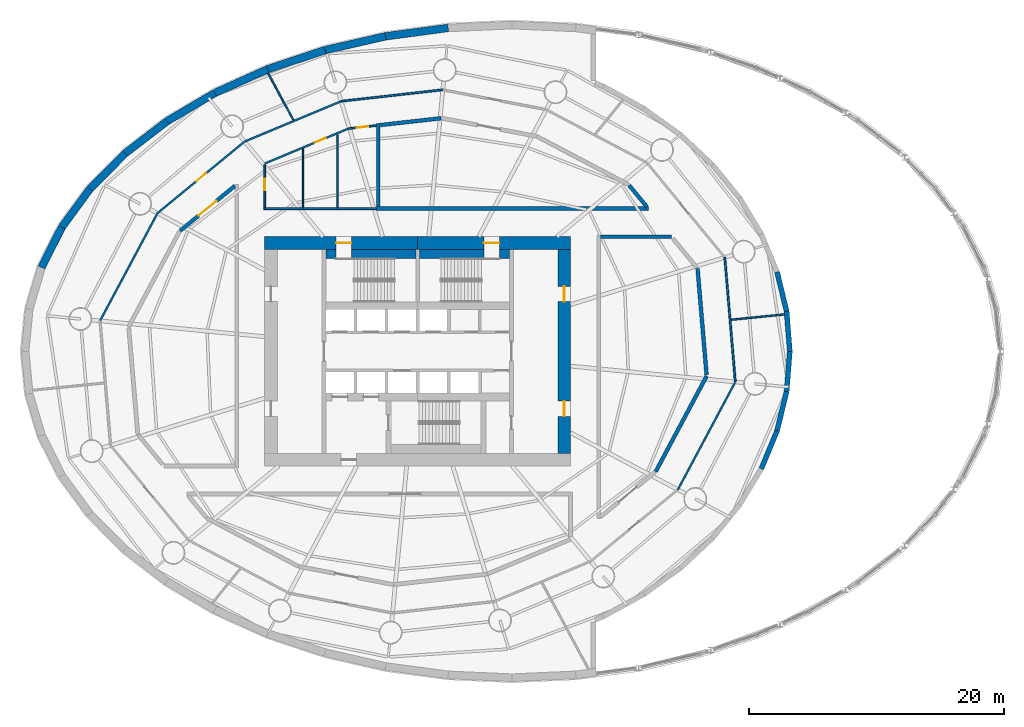
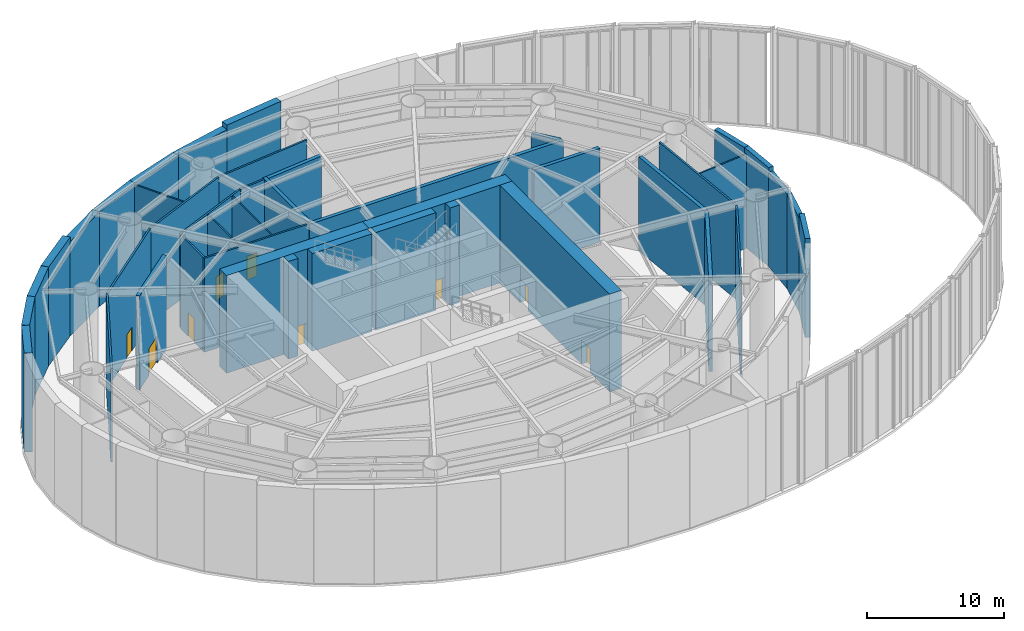
# One storey, part 16 of 19: 43 walls, 9 doors, 9 openings.
"""IFC4 building model written with IfcOpenShell, lengths in metres."""

from ifc_helpers import new_model, si_unit, direction, frame, frame_2d, origin, place, context, subcontext, project, spatial, rectangle, extrude, material, layer, layer_set, type_object, element, fill, save


model = new_model("IFC4")

# Units and contexts
model_context = context("Model", 3, precision=1e-05, world=origin(), true_north=direction((0.0, 1.0)))
body_context = subcontext(model_context, "Body", "Model", "MODEL_VIEW")
ifc_project = project(units=[si_unit("LENGTHUNIT", "METRE"), si_unit("AREAUNIT", "SQUARE_METRE"), si_unit("VOLUMEUNIT", "CUBIC_METRE"), si_unit("PLANEANGLEUNIT", "RADIAN"), si_unit("MASSUNIT", "GRAM", prefix="KILO")], contexts=[model_context])

# Site, building, storey
site_placement = place(None, origin())
site = spatial("IfcSite", under=ifc_project, at=site_placement, CompositionType="ELEMENT")
building_placement = place(site_placement, origin())
building = spatial("IfcBuilding", under=site, at=building_placement, Name="Vermilion Reach Broadcast Tower", CompositionType="ELEMENT")
storey_placement = place(building_placement, frame((0.0, 0.0, 17.0)))
storey = spatial("IfcBuildingStorey", under=building, at=storey_placement, Name="L02", CompositionType="ELEMENT", Elevation=17.0)

# Walls
ifc_material_1 = material(Name="Precast concrete C40/50 with acoustic cladding", Category="concrete")
ifc_layer_1 = layer(ifc_material_1, 0.39990234375)
ifc_layer_set_1 = layer_set([ifc_layer_1], Name="Atrium end wall 400")
wall_type_1 = type_object("IfcWallType", Name="Atrium end wall 400", PredefinedType="SOLIDWALL", material=ifc_layer_set_1)
wall_1_placement = place(storey_placement, frame((22.1982421875, 6.232421875, 0.0), z_axis=(0.0, 0.0, 1.0), x_axis=(0.235896812421, -0.97177810939, 0.0)))
element("IfcWall", 1, at=wall_1_placement, inside=storey, type_object=wall_type_1, Name="Podium wall L02 dru07", PredefinedType="SOLIDWALL", context=body_context, shape_type="SweptSolid", body=[
    extrude(rectangle(XDim=3.17822265625, YDim=0.39990234375, at=frame_2d((1.589111328125, 0.0))), origin(), (0.0, 0.0, 1.0), 8.800048828125),
])
wall_2_placement = place(storey_placement, frame((22.947998046875, 3.143798828125, 0.0), z_axis=(0.0, 0.0, 1.0), x_axis=(0.079732915346, -0.996816263015, 0.0)))
element("IfcWall", 2, at=wall_2_placement, inside=storey, type_object=wall_type_1, Name="Podium wall L02 dru08", PredefinedType="SOLIDWALL", context=body_context, shape_type="SweptSolid", body=[
    extrude(rectangle(XDim=3.15380859375, YDim=0.39990234375, at=frame_2d((1.576904296875, 0.0))), origin(), (0.0, 0.0, 1.0), 8.800048828125),
])
wall_3_placement = place(storey_placement, frame((22.1982421875, -6.232421875, 0.0), z_axis=(0.0, 0.0, 1.0), x_axis=(-0.382706172342, -0.923870112976, 0.0)))
element("IfcWall", 3, at=wall_3_placement, inside=storey, type_object=wall_type_1, Name="Podium wall L02 dru11", PredefinedType="SOLIDWALL", context=body_context, shape_type="SweptSolid", body=[
    extrude(rectangle(XDim=3.224853515625, YDim=0.39990234375, at=frame_2d((1.6123046875, 0.0))), origin(), (0.0, 0.0, 1.0), 8.800048828125),
])
ifc_material_2 = material(Name="Precast concrete C40/50 with acoustic cladding", Category="concrete")
ifc_layer_2 = layer(ifc_material_2, 0.39990234375)
ifc_layer_set_2 = layer_set([ifc_layer_2], Name="Atrium end wall 400, head 400 below soffit")
wall_type_2 = type_object("IfcWallType", Name="Atrium end wall 400, head 400 below soffit", PredefinedType="SOLIDWALL", material=ifc_layer_set_2)
wall_4_placement = place(storey_placement, frame((23.199462890625, 0.0, 0.0), z_axis=(0.0, 0.0, 1.0), x_axis=(-0.079732915346, -0.996816263015, 0.0)))
element("IfcWall", 4, at=wall_4_placement, inside=storey, type_object=wall_type_2, Name="Podium wall L02 dru09", PredefinedType="SOLIDWALL", context=body_context, shape_type="SweptSolid", body=[
    extrude(rectangle(XDim=3.15380859375, YDim=0.39990234375, at=frame_2d((1.576904296875, 0.0))), origin(), (0.0, 0.0, 1.0), 8.39990234375),
])
wall_5_placement = place(storey_placement, frame((22.947998046875, -3.143798828125, 0.0), z_axis=(0.0, 0.0, 1.0), x_axis=(-0.235896812421, -0.97177810939, 0.0)))
element("IfcWall", 5, at=wall_5_placement, inside=storey, type_object=wall_type_2, Name="Podium wall L02 dru10", PredefinedType="SOLIDWALL", context=body_context, shape_type="SweptSolid", body=[
    extrude(rectangle(XDim=3.17822265625, YDim=0.39990234375, at=frame_2d((1.589111328125, 0.0))), origin(), (0.0, 0.0, 1.0), 8.39990234375),
])

# Wall, opening, door
ifc_material_3 = material(Name="Concrete C70", Category="concrete")
ifc_layer_3 = layer(ifc_material_3, 1.0)
ifc_layer_set_3 = layer_set([ifc_layer_3], Name="Core outer wall 1000 mm Concrete C70")
wall_type_3 = type_object("IfcWallType", Name="Core outer wall 1000 mm Concrete C70", PredefinedType="SHEAR", material=ifc_layer_set_3)
wall_6_placement = place(storey_placement, frame((6.0, 8.5, 0.0), z_axis=(0.0, 0.0, 1.0), x_axis=(-1.0, 0.0, 0.0)))
wall_6 = element("IfcWall", 6, at=wall_6_placement, inside=storey, type_object=wall_type_3, Name="L02 core wall onE", PredefinedType="SHEAR", context=body_context, shape_type="SweptSolid", body=[
    extrude(rectangle(XDim=12.0, YDim=1.0, at=frame_2d((6.0, 0.0))), origin(), (0.0, 0.0, 1.0), 8.699951171875),
])
opening_1_placement = place(wall_6_placement, frame((5.60009765625, 0.0, 0.0)))
opening_1 = element("IfcOpeningElement", 7, at=opening_1_placement, cuts=wall_6, Name="Opening D01", PredefinedType="OPENING", context=body_context, shape_type="SweptSolid", body=[
    extrude(rectangle(XDim=1.199951171875, YDim=2.10009765625, at=frame_2d((0.60009765625, 1.050048828125))), frame((0.0, 0.510009765625, 0.0), z_axis=(0.0, -1.0, 0.0), x_axis=(1.0, 0.0, 0.0)), (0.0, 0.0, 1.0), 1.02001953125),
])
ifc_material_4 = material(Name="Painted steel fire door", Category="steel")
door_type_1 = type_object("IfcDoorType", Name="Stair door 1200 x 2100", OperationType="DOUBLE_DOOR_SINGLE_SWING", PredefinedType="NOTDEFINED", material=ifc_material_4)
door_1_placement = place(opening_1_placement, origin())
door_1 = element("IfcDoor", 8, at=door_1_placement, inside=storey, type_object=door_type_1, Name="L02 stair door ST2", OperationType="DOUBLE_DOOR_SINGLE_SWING", OverallHeight=2.10009765625, OverallWidth=1.199951171875, PredefinedType="NOTDEFINED", context=body_context, shape_type="SweptSolid", body=[
    extrude(rectangle(XDim=1.199951171875, YDim=2.10009765625, at=frame_2d((0.60009765625, 1.050048828125))), frame((0.0, 0.02490234375, 0.0), z_axis=(0.0, -1.0, 0.0), x_axis=(1.0, 0.0, 0.0)), (0.0, 0.0, 1.0), 0.050048828125),
])
fill(opening_1, door_1)

wall_7_placement = place(storey_placement, frame((-6.0, 8.5, 0.0), z_axis=(0.0, 0.0, 1.0), x_axis=(-1.0, 0.0, 0.0)))
wall_7 = element("IfcWall", 9, at=wall_7_placement, inside=storey, type_object=wall_type_3, Name="L02 core wall onW", PredefinedType="SHEAR", context=body_context, shape_type="SweptSolid", body=[
    extrude(rectangle(XDim=12.0, YDim=1.0, at=frame_2d((6.0, 0.0))), origin(), (0.0, 0.0, 1.0), 8.699951171875),
])
opening_2_placement = place(wall_7_placement, frame((5.199951171875, 0.0, 0.0)))
opening_2 = element("IfcOpeningElement", 10, at=opening_2_placement, cuts=wall_7, Name="Opening D01", PredefinedType="OPENING", context=body_context, shape_type="SweptSolid", body=[
    extrude(rectangle(XDim=1.199951171875, YDim=2.10009765625, at=frame_2d((0.60009765625, 1.050048828125))), frame((0.0, 0.510009765625, 0.0), z_axis=(0.0, -1.0, 0.0), x_axis=(1.0, 0.0, 0.0)), (0.0, 0.0, 1.0), 1.02001953125),
])
door_2_placement = place(opening_2_placement, origin())
door_2 = element("IfcDoor", 11, at=door_2_placement, inside=storey, type_object=door_type_1, Name="L02 stair door ST1", OperationType="DOUBLE_DOOR_SINGLE_SWING", OverallHeight=2.10009765625, OverallWidth=1.199951171875, PredefinedType="NOTDEFINED", context=body_context, shape_type="SweptSolid", body=[
    extrude(rectangle(XDim=1.199951171875, YDim=2.10009765625, at=frame_2d((0.60009765625, 1.050048828125))), frame((0.0, 0.02490234375, 0.0), z_axis=(0.0, -1.0, 0.0), x_axis=(1.0, 0.0, 0.0)), (0.0, 0.0, 1.0), 0.050048828125),
])
fill(opening_2, door_2)

# Wall, openings, doors
wall_8_placement = place(storey_placement, frame((5.5, -8.0, 0.0), z_axis=(0.0, 0.0, 1.0), x_axis=(0.0, 1.0, 0.0)))
wall_8 = element("IfcWall", 12, at=wall_8_placement, inside=storey, type_object=wall_type_3, Name="L02 core wall oe", PredefinedType="SHEAR", context=body_context, shape_type="SweptSolid", body=[
    extrude(rectangle(XDim=16.0, YDim=1.0, at=frame_2d((8.0, 0.0))), origin(), (0.0, 0.0, 1.0), 8.699951171875),
])
opening_3_placement = place(wall_8_placement, frame((2.89990234375, 0.0, 0.0)))
opening_3 = element("IfcOpeningElement", 13, at=opening_3_placement, cuts=wall_8, Name="Opening D03", PredefinedType="OPENING", context=body_context, shape_type="SweptSolid", body=[
    extrude(rectangle(XDim=1.199951171875, YDim=2.10009765625, at=frame_2d((0.60009765625, 1.050048828125))), frame((0.0, 0.510009765625, 0.0), z_axis=(0.0, -1.0, 0.0), x_axis=(1.0, 0.0, 0.0)), (0.0, 0.0, 1.0), 1.02001953125),
])
opening_4_placement = place(wall_8_placement, frame((11.89990234375, 0.0, 0.0)))
opening_4 = element("IfcOpeningElement", 14, at=opening_4_placement, cuts=wall_8, Name="Opening D03", PredefinedType="OPENING", context=body_context, shape_type="SweptSolid", body=[
    extrude(rectangle(XDim=1.199951171875, YDim=2.10009765625, at=frame_2d((0.60009765625, 1.050048828125))), frame((0.0, 0.510009765625, 0.0), z_axis=(0.0, -1.0, 0.0), x_axis=(1.0, 0.0, 0.0)), (0.0, 0.0, 1.0), 1.02001953125),
])
ifc_material_5 = material(Name="Painted steel fire door", Category="steel")
door_type_2 = type_object("IfcDoorType", Name="Core lobby door 1200 x 2100", OperationType="DOUBLE_DOOR_SINGLE_SWING", PredefinedType="NOTDEFINED", material=ifc_material_5)
door_3_placement = place(opening_3_placement, origin())
door_3 = element("IfcDoor", 15, at=door_3_placement, inside=storey, type_object=door_type_2, Name="L02 slot door E0", OperationType="DOUBLE_DOOR_SINGLE_SWING", OverallHeight=2.10009765625, OverallWidth=1.199951171875, PredefinedType="NOTDEFINED", context=body_context, shape_type="SweptSolid", body=[
    extrude(rectangle(XDim=1.199951171875, YDim=2.10009765625, at=frame_2d((0.60009765625, 1.050048828125))), frame((0.0, 0.02490234375, 0.0), z_axis=(0.0, -1.0, 0.0), x_axis=(1.0, 0.0, 0.0)), (0.0, 0.0, 1.0), 0.050048828125),
])
fill(opening_3, door_3)
door_4_placement = place(opening_4_placement, origin())
door_4 = element("IfcDoor", 16, at=door_4_placement, inside=storey, type_object=door_type_2, Name="L02 slot door E1", OperationType="DOUBLE_DOOR_SINGLE_SWING", OverallHeight=2.10009765625, OverallWidth=1.199951171875, PredefinedType="NOTDEFINED", context=body_context, shape_type="SweptSolid", body=[
    extrude(rectangle(XDim=1.199951171875, YDim=2.10009765625, at=frame_2d((0.60009765625, 1.050048828125))), frame((0.0, 0.02490234375, 0.0), z_axis=(0.0, -1.0, 0.0), x_axis=(1.0, 0.0, 0.0)), (0.0, 0.0, 1.0), 0.050048828125),
])
fill(opening_4, door_4)

# Walls
ifc_material_6 = material(Name="Concrete C70", Category="concrete")
ifc_layer_4 = layer(ifc_material_6, 0.699951171875)
ifc_layer_set_4 = layer_set([ifc_layer_4], Name="Core stair wall 700 mm Concrete C70")
wall_type_4 = type_object("IfcWallType", Name="Core stair wall 700 mm Concrete C70", PredefinedType="SHEAR", material=ifc_layer_set_4)
wall_9_placement = place(storey_placement, frame((-13.199951171875, 7.64990234375, 0.0), z_axis=(0.0, 0.0, 1.0), x_axis=(1.0, 0.0, 0.0)))
element("IfcWall", 17, at=wall_9_placement, inside=storey, type_object=wall_type_4, Name="L02 core wall l1a", PredefinedType="SHEAR", context=body_context, shape_type="SweptSolid", body=[
    extrude(rectangle(XDim=0.800048828125, YDim=0.699951171875, at=frame_2d((0.39990234375, 0.0))), origin(), (0.0, 0.0, 1.0), 8.699951171875),
])
for number, where, z_axis, x_axis, name in (
    (18, (-11.199951171875, 7.64990234375, 0.0), (0.0, 0.0, 1.0), (1.0, 0.0, 0.0), "L02 core wall l1b"),
    (19, (-5.85009765625, 7.64990234375, 0.0), (0.0, 0.0, 1.0), (1.0, 0.0, 0.0), "L02 core wall l2a"),
):
    element("IfcWall", number, at=place(storey_placement, frame(where, z_axis=z_axis, x_axis=x_axis)), inside=storey, type_object=wall_type_4, Name=name, PredefinedType="SHEAR", context=body_context, shape_type="SweptSolid", body=[
        extrude(rectangle(XDim=5.050048828125, YDim=0.699951171875, at=frame_2d((2.52490234375, 0.0))), origin(), (0.0, 0.0, 1.0), 8.699951171875),
    ])
wall_10_placement = place(storey_placement, frame((0.39990234375, 7.64990234375, 0.0), z_axis=(0.0, 0.0, 1.0), x_axis=(1.0, 0.0, 0.0)))
element("IfcWall", 20, at=wall_10_placement, inside=storey, type_object=wall_type_4, Name="L02 core wall l2b", PredefinedType="SHEAR", context=body_context, shape_type="SweptSolid", body=[
    extrude(rectangle(XDim=0.800048828125, YDim=0.699951171875, at=frame_2d((0.39990234375, 0.0))), origin(), (0.0, 0.0, 1.0), 8.699951171875),
])
ifc_material_7 = material(Name="Gypsum board partition")
ifc_layer_5 = layer(ifc_material_7, 0.14990234375)
ifc_layer_set_5 = layer_set([ifc_layer_5], Name="Corridor wall 150")
wall_type_5 = type_object("IfcWallType", Name="Corridor wall 150", PredefinedType="PARTITIONING", material=ifc_layer_set_5)
wall_11_placement = place(storey_placement, frame((-18.0751953125, 11.199951171875, 0.0), z_axis=(0.0, 0.0, 1.0), x_axis=(1.0, 0.0, 0.0)))
element("IfcWall", 21, at=wall_11_placement, inside=storey, type_object=wall_type_5, Name="sp.wall.L02.000", PredefinedType="PARTITIONING", context=body_context, shape_type="SweptSolid", body=[
    extrude(rectangle(XDim=8.825439453125, YDim=0.14990234375, at=frame_2d((4.41259765625, 0.0))), origin(), (0.0, 0.0, 1.0), 8.35009765625),
])

# Wall, opening, door
wall_12_placement = place(storey_placement, frame((-18.0, 11.27490234375, 0.0), z_axis=(0.0, 0.0, 1.0), x_axis=(0.0, 1.0, 0.0)))
wall_12 = element("IfcWall", 22, at=wall_12_placement, inside=storey, type_object=wall_type_5, Name="sp.wall.L02.005", PredefinedType="PARTITIONING", context=body_context, shape_type="SweptSolid", body=[
    extrude(rectangle(XDim=3.351318359375, YDim=0.14990234375, at=frame_2d((1.67578125, 0.0))), origin(), (0.0, 0.0, 1.0), 8.35009765625),
])
opening_5_placement = place(wall_12_placement, frame((1.350830078125, 0.0, 0.0)))
opening_5 = element("IfcOpeningElement", 23, at=opening_5_placement, cuts=wall_12, Name="Opening D51", PredefinedType="OPENING", context=body_context, shape_type="SweptSolid", body=[
    extrude(rectangle(XDim=0.89990234375, YDim=2.10009765625, at=frame_2d((0.449951171875, 1.050048828125))), frame((0.0, 0.0849609375, 0.0), z_axis=(0.0, -1.0, 0.0), x_axis=(1.0, 0.0, 0.0)), (0.0, 0.0, 1.0), 0.169921875),
])
ifc_material_8 = material(Name="Timber and steel door set", Category="steel")
door_type_3 = type_object("IfcDoorType", Name="Door 900x2100 WC", OperationType="NOTDEFINED", PredefinedType="DOOR", material=ifc_material_8)
door_5_placement = place(opening_5_placement, origin())
door_5 = element("IfcDoor", 24, at=door_5_placement, inside=storey, type_object=door_type_3, Name="sp.door.L02.000", OperationType="SINGLE_SWING_LEFT", OverallHeight=2.10009765625, OverallWidth=0.89990234375, PredefinedType="DOOR", context=body_context, shape_type="SweptSolid", body=[
    extrude(rectangle(XDim=0.89990234375, YDim=2.10009765625, at=frame_2d((0.449951171875, 1.050048828125))), frame((0.0, 0.02490234375, 0.0), z_axis=(0.0, -1.0, 0.0), x_axis=(1.0, 0.0, 0.0)), (0.0, 0.0, 1.0), 0.050048828125),
])
fill(opening_5, door_5)

wall_13_placement = place(storey_placement, frame((-11.446533203125, 17.474609375, 0.0), z_axis=(0.0, 0.0, 1.0), x_axis=(-0.922815313154, -0.385242647961, 0.0)))
wall_13 = element("IfcWall", 25, at=wall_13_placement, inside=storey, type_object=wall_type_5, Name="sp.wall.L02.010", PredefinedType="PARTITIONING", context=body_context, shape_type="SweptSolid", body=[
    extrude(rectangle(XDim=7.1015625, YDim=0.14990234375, at=frame_2d((3.55078125, 0.0))), origin(), (0.0, 0.0, 1.0), 8.35009765625),
])
opening_6_placement = place(wall_13_placement, frame((1.93798828125, 0.0, 0.0)))
opening_6 = element("IfcOpeningElement", 26, at=opening_6_placement, cuts=wall_13, Name="Opening D51", PredefinedType="OPENING", context=body_context, shape_type="SweptSolid", body=[
    extrude(rectangle(XDim=0.89990234375, YDim=2.10009765625, at=frame_2d((0.449951171875, 1.050048828125))), frame((0.0, 0.0849609375, 0.0), z_axis=(0.0, -1.0, 0.0), x_axis=(1.0, 0.0, 0.0)), (0.0, 0.0, 1.0), 0.169921875),
])
door_6_placement = place(opening_6_placement, origin())
door_6 = element("IfcDoor", 27, at=door_6_placement, inside=storey, type_object=door_type_3, Name="sp.door.L02.001", OperationType="SINGLE_SWING_RIGHT", OverallHeight=2.10009765625, OverallWidth=0.89990234375, PredefinedType="DOOR", context=body_context, shape_type="SweptSolid", body=[
    extrude(rectangle(XDim=0.89990234375, YDim=2.10009765625, at=frame_2d((0.449951171875, 1.050048828125))), frame((0.0, 0.02490234375, 0.0), z_axis=(0.0, -1.0, 0.0), x_axis=(1.0, 0.0, 0.0)), (0.0, 0.0, 1.0), 0.050048828125),
])
fill(opening_6, door_6)

wall_14_placement = place(storey_placement, frame((-9.25830078125, 17.72021484375, 0.0), z_axis=(0.0, 0.0, 1.0), x_axis=(-0.993760208046, -0.111537656887, 0.0)))
wall_14 = element("IfcWall", 28, at=wall_14_placement, inside=storey, type_object=wall_type_5, Name="sp.wall.L02.013", PredefinedType="PARTITIONING", context=body_context, shape_type="SweptSolid", body=[
    extrude(rectangle(XDim=2.18017578125, YDim=0.14990234375, at=frame_2d((1.090087890625, 0.0))), origin(), (0.0, 0.0, 1.0), 8.35009765625),
])
opening_7_placement = place(wall_14_placement, frame((0.639892578125, 0.0, 0.0)))
opening_7 = element("IfcOpeningElement", 29, at=opening_7_placement, cuts=wall_14, Name="Opening D51", PredefinedType="OPENING", context=body_context, shape_type="SweptSolid", body=[
    extrude(rectangle(XDim=0.89990234375, YDim=2.10009765625, at=frame_2d((0.449951171875, 1.050048828125))), frame((0.0, 0.0849609375, 0.0), z_axis=(0.0, -1.0, 0.0), x_axis=(1.0, 0.0, 0.0)), (0.0, 0.0, 1.0), 0.169921875),
])
door_7_placement = place(opening_7_placement, origin())
door_7 = element("IfcDoor", 30, at=door_7_placement, inside=storey, type_object=door_type_3, Name="sp.door.L02.002", OperationType="SINGLE_SWING_LEFT", OverallHeight=2.10009765625, OverallWidth=0.89990234375, PredefinedType="DOOR", context=body_context, shape_type="SweptSolid", body=[
    extrude(rectangle(XDim=0.89990234375, YDim=2.10009765625, at=frame_2d((0.449951171875, 1.050048828125))), frame((0.0, 0.02490234375, 0.0), z_axis=(0.0, -1.0, 0.0), x_axis=(1.0, 0.0, 0.0)), (0.0, 0.0, 1.0), 0.050048828125),
])
fill(opening_7, door_7)

# Walls
wall_15_placement = place(storey_placement, frame((18.09326171875, 7.37060546875, 0.0), z_axis=(0.0, 0.0, 1.0), x_axis=(0.084469905026, -0.996426030945, 0.0)))
element("IfcWall", 31, at=wall_15_placement, inside=storey, type_object=wall_type_5, Name="sp.wall.L02.035", PredefinedType="PARTITIONING", context=body_context, shape_type="SweptSolid", body=[
    extrude(rectangle(XDim=9.80078125, YDim=0.14990234375, at=frame_2d((4.900390625, 0.0))), origin(), (0.0, 0.0, 1.0), 8.35009765625),
])
wall_16_placement = place(storey_placement, frame((-11.982177734375, 19.62841796875, 0.0), z_axis=(0.0, 0.0, 1.0), x_axis=(0.993764533241, 0.11149911422, 0.0)))
element("IfcWall", 32, at=wall_16_placement, inside=storey, type_object=wall_type_5, Name="sp.wall.L02.041", PredefinedType="PARTITIONING", context=body_context, shape_type="SweptSolid", body=[
    extrude(rectangle(XDim=7.981201171875, YDim=0.14990234375, at=frame_2d((3.99072265625, 0.0))), origin(), (0.0, 0.0, 1.0), 8.35009765625),
])
wall_17_placement = place(storey_placement, frame((-19.556396484375, 16.47314453125, 0.0), z_axis=(0.0, 0.0, 1.0), x_axis=(0.922818121352, 0.385235921097, 0.0)))
element("IfcWall", 33, at=wall_17_placement, inside=storey, type_object=wall_type_5, Name="sp.wall.L02.042", PredefinedType="PARTITIONING", context=body_context, shape_type="SweptSolid", body=[
    extrude(rectangle(XDim=8.18408203125, YDim=0.14990234375, at=frame_2d((4.092041015625, 0.0))), origin(), (0.0, 0.0, 1.0), 8.35009765625),
])

# Wall, opening, door
wall_18_placement = place(storey_placement, frame((-19.5771484375, 16.464599609375, 0.0), z_axis=(0.0, 0.0, 1.0), x_axis=(-0.772575830308, -0.634922504266, 0.0)))
wall_18 = element("IfcWall", 34, at=wall_18_placement, inside=storey, type_object=wall_type_5, Name="sp.wall.L02.043", PredefinedType="PARTITIONING", context=body_context, shape_type="SweptSolid", body=[
    extrude(rectangle(XDim=8.814697265625, YDim=0.14990234375, at=frame_2d((4.4072265625, 0.0))), origin(), (0.0, 0.0, 1.0), 8.35009765625),
])
opening_8_placement = place(wall_18_placement, frame((3.9072265625, 0.0, 0.0)))
opening_8 = element("IfcOpeningElement", 35, at=opening_8_placement, cuts=wall_18, Name="Opening D50", PredefinedType="OPENING", context=body_context, shape_type="SweptSolid", body=[
    extrude(rectangle(XDim=1.0, YDim=2.10009765625, at=frame_2d((0.5, 1.050048828125))), frame((0.0, 0.0849609375, 0.0), z_axis=(0.0, -1.0, 0.0), x_axis=(1.0, 0.0, 0.0)), (0.0, 0.0, 1.0), 0.169921875),
])
ifc_material_9 = material(Name="Timber and steel door set", Category="steel")
door_type_4 = type_object("IfcDoorType", Name="Door 1000x2100", OperationType="NOTDEFINED", PredefinedType="DOOR", material=ifc_material_9)
door_8_placement = place(opening_8_placement, origin())
door_8 = element("IfcDoor", 36, at=door_8_placement, inside=storey, type_object=door_type_4, Name="sp.door.L02.009", OperationType="SINGLE_SWING_RIGHT", OverallHeight=2.10009765625, OverallWidth=1.0, PredefinedType="DOOR", context=body_context, shape_type="SweptSolid", body=[
    extrude(rectangle(XDim=1.0, YDim=2.10009765625, at=frame_2d((0.5, 1.050048828125))), frame((0.0, 0.02490234375, 0.0), z_axis=(0.0, -1.0, 0.0), x_axis=(1.0, 0.0, 0.0)), (0.0, 0.0, 1.0), 0.050048828125),
])
fill(opening_8, door_8)

# Walls
for number, where, z_axis, x_axis, name in (
    (37, (-30.8984375, 2.43798828125, 0.0), (0.0, 0.0, 1.0), (0.470742429837, 0.88227068678, 0.0), "sp.wall.L02.044"),
    (38, (14.4111328125, -10.84814453125, 0.0), (0.0, 0.0, 1.0), (0.470742429837, 0.88227068678, 0.0), "sp.wall.L02.052"),
):
    element("IfcWall", number, at=place(storey_placement, frame(where, z_axis=z_axis, x_axis=x_axis)), inside=storey, type_object=wall_type_5, Name=name, PredefinedType="PARTITIONING", context=body_context, shape_type="SweptSolid", body=[
        extrude(rectangle(XDim=9.532470703125, YDim=0.14990234375, at=frame_2d((4.76611328125, 0.0))), origin(), (0.0, 0.0, 1.0), 8.35009765625),
    ])
ifc_material_10 = material(Name="Gypsum board partition")
ifc_layer_6 = layer(ifc_material_10, 0.125)
ifc_layer_set_6 = layer_set([ifc_layer_6], Name="Partition 125 plasterboard")
wall_type_6 = type_object("IfcWallType", Name="Partition 125 plasterboard", PredefinedType="PARTITIONING", material=ifc_layer_set_6)
wall_19_placement = place(storey_placement, frame((18.584228515625, 2.479736328125, 0.0), z_axis=(0.0, 0.0, 1.0), x_axis=(0.994951140435, 0.100360490962, 0.0)))
element("IfcWall", 39, at=wall_19_placement, inside=storey, type_object=wall_type_6, Name="sp.wall.L02.034", PredefinedType="PARTITIONING", context=body_context, shape_type="SweptSolid", body=[
    extrude(rectangle(XDim=4.20361328125, YDim=0.125, at=frame_2d((2.101806640625, 0.0))), origin(), (0.0, 0.0, 1.0), 8.35009765625),
])
wall_20_placement = place(storey_placement, frame((-17.732177734375, 21.82568359375, 0.0), z_axis=(0.0, 0.0, 1.0), x_axis=(0.473447649948, -0.880821958604, 0.0)))
element("IfcWall", 40, at=wall_20_placement, inside=storey, type_object=wall_type_6, Name="sp.wall.L02.038", PredefinedType="PARTITIONING", context=body_context, shape_type="SweptSolid", body=[
    extrude(rectangle(XDim=4.17529296875, YDim=0.125, at=frame_2d((2.087646484375, 0.0))), origin(), (0.0, 0.0, 1.0), 8.35009765625),
])
ifc_material_11 = material(Name="Precast concrete C40/50 with acoustic cladding", Category="concrete")
ifc_layer_7 = layer(ifc_material_11, 0.60009765625)
ifc_layer_set_7 = layer_set([ifc_layer_7], Name="Podium acoustic wall 600")
wall_type_7 = type_object("IfcWallType", Name="Podium acoustic wall 600", PredefinedType="SOLIDWALL", material=ifc_layer_set_7)
wall_21_placement = place(storey_placement, frame((-3.60302734375, 25.379150390625, 0.0), z_axis=(0.0, 0.0, 1.0), x_axis=(-0.991143444913, -0.132795600853, 0.0)))
element("IfcWall", 41, at=wall_21_placement, inside=storey, type_object=wall_type_7, Name="Podium wall L02 str03", PredefinedType="SOLIDWALL", context=body_context, shape_type="SweptSolid", body=[
    extrude(rectangle(XDim=4.960205078125, YDim=0.60009765625, at=frame_2d((2.47998046875, 0.0))), origin(), (0.0, 0.0, 1.0), 8.800048828125),
])
wall_22_placement = place(storey_placement, frame((-25.6708984375, 18.052978515625, 0.0), z_axis=(0.0, 0.0, 1.0), x_axis=(-0.793065901338, -0.609135843745, 0.0)))
element("IfcWall", 42, at=wall_22_placement, inside=storey, type_object=wall_type_7, Name="Podium wall L02 str08", PredefinedType="SOLIDWALL", context=body_context, shape_type="SweptSolid", body=[
    extrude(rectangle(XDim=4.146728515625, YDim=0.60009765625, at=frame_2d((2.0732421875, 0.0))), origin(), (0.0, 0.0, 1.0), 8.800048828125),
])
wall_23_placement = place(storey_placement, frame((-28.95947265625, 15.527099609375, 0.0), z_axis=(0.0, 0.0, 1.0), x_axis=(-0.704303183564, -0.709899306678, 0.0)))
element("IfcWall", 43, at=wall_23_placement, inside=storey, type_object=wall_type_7, Name="Podium wall L02 str09", PredefinedType="SOLIDWALL", context=body_context, shape_type="SweptSolid", body=[
    extrude(rectangle(XDim=3.926513671875, YDim=0.60009765625, at=frame_2d((1.96337890625, 0.0))), origin(), (0.0, 0.0, 1.0), 8.800048828125),
])
wall_24_placement = place(storey_placement, frame((-31.724853515625, 12.73974609375, 0.0), z_axis=(0.0, 0.0, 1.0), x_axis=(-0.59073426953, -0.806866174035, 0.0)))
element("IfcWall", 44, at=wall_24_placement, inside=storey, type_object=wall_type_7, Name="Podium wall L02 str10", PredefinedType="SOLIDWALL", context=body_context, shape_type="SweptSolid", body=[
    extrude(rectangle(XDim=3.717529296875, YDim=0.60009765625, at=frame_2d((1.85888671875, 0.0))), origin(), (0.0, 0.0, 1.0), 8.800048828125),
])
wall_25_placement = place(storey_placement, frame((-33.9208984375, 9.740234375, 0.0), z_axis=(0.0, 0.0, 1.0), x_axis=(-0.450137579264, -0.892959215045, 0.0)))
element("IfcWall", 45, at=wall_25_placement, inside=storey, type_object=wall_type_7, Name="Podium wall L02 str11", PredefinedType="SOLIDWALL", context=body_context, shape_type="SweptSolid", body=[
    extrude(rectangle(XDim=3.537353515625, YDim=0.60009765625, at=frame_2d((1.7685546875, 0.0))), origin(), (0.0, 0.0, 1.0), 8.800048828125),
])
ifc_material_12 = material(Name="Precast concrete C40/50 with acoustic cladding", Category="concrete")
ifc_layer_8 = layer(ifc_material_12, 0.60009765625)
ifc_layer_set_8 = layer_set([ifc_layer_8], Name="Podium acoustic wall 600, head 400 below soffit")
wall_type_8 = type_object("IfcWallType", Name="Podium acoustic wall 600, head 400 below soffit", PredefinedType="SOLIDWALL", material=ifc_layer_set_8)
wall_26_placement = place(storey_placement, frame((-8.519287109375, 24.720458984375, 0.0), z_axis=(0.0, 0.0, 1.0), x_axis=(-0.97483982486, -0.222906518224, 0.0)))
element("IfcWall", 46, at=wall_26_placement, inside=storey, type_object=wall_type_8, Name="Podium wall L02 str04", PredefinedType="SOLIDWALL", context=body_context, shape_type="SweptSolid", body=[
    extrude(rectangle(XDim=4.867431640625, YDim=0.60009765625, at=frame_2d((2.43359375, 0.0))), origin(), (0.0, 0.0, 1.0), 8.39990234375),
])
wall_27_placement = place(storey_placement, frame((-13.26416015625, 23.635498046875, 0.0), z_axis=(0.0, 0.0, 1.0), x_axis=(-0.94901810672, -0.315221561949, 0.0)))
element("IfcWall", 47, at=wall_27_placement, inside=storey, type_object=wall_type_8, Name="Podium wall L02 str05", PredefinedType="SOLIDWALL", context=body_context, shape_type="SweptSolid", body=[
    extrude(rectangle(XDim=4.732177734375, YDim=0.60009765625, at=frame_2d((2.3662109375, 0.0))), origin(), (0.0, 0.0, 1.0), 8.39990234375),
])
wall_28_placement = place(storey_placement, frame((-17.755126953125, 22.143798828125, 0.0), z_axis=(0.0, 0.0, 1.0), x_axis=(-0.911894462824, -0.410424766152, 0.0)))
element("IfcWall", 48, at=wall_28_placement, inside=storey, type_object=wall_type_8, Name="Podium wall L02 str06", PredefinedType="SOLIDWALL", context=body_context, shape_type="SweptSolid", body=[
    extrude(rectangle(XDim=4.561279296875, YDim=0.60009765625, at=frame_2d((2.28076171875, 0.0))), origin(), (0.0, 0.0, 1.0), 8.39990234375),
])
wall_29_placement = place(storey_placement, frame((-21.91455078125, 20.271728515625, 0.0), z_axis=(0.0, 0.0, 1.0), x_axis=(-0.861017868942, -0.508574703818, 0.0)))
element("IfcWall", 49, at=wall_29_placement, inside=storey, type_object=wall_type_8, Name="Podium wall L02 str07", PredefinedType="SOLIDWALL", context=body_context, shape_type="SweptSolid", body=[
    extrude(rectangle(XDim=4.36279296875, YDim=0.60009765625, at=frame_2d((2.181396484375, 0.0))), origin(), (0.0, 0.0, 1.0), 8.39990234375),
])
ifc_material_13 = material(Name="Gypsum board double-leaf partition")
ifc_layer_9 = layer(ifc_material_13, 0.300048828125)
ifc_layer_set_9 = layer_set([ifc_layer_9], Name="Studio acoustic wall 300")
wall_type_9 = type_object("IfcWallType", Name="Studio acoustic wall 300", PredefinedType="PARTITIONING", material=ifc_layer_set_9)
wall_30_placement = place(storey_placement, frame((-9.250244140625, 11.199951171875, 0.0), z_axis=(0.0, 0.0, 1.0), x_axis=(1.0, 0.0, 0.0)))
element("IfcWall", 50, at=wall_30_placement, inside=storey, type_object=wall_type_9, Name="sp.wall.L02.001", PredefinedType="PARTITIONING", context=body_context, shape_type="SweptSolid", body=[
    extrude(rectangle(XDim=21.34765625, YDim=0.300048828125, at=frame_2d((10.673828125, 0.0))), origin(), (0.0, 0.0, 1.0), 8.35009765625),
])
wall_31_placement = place(storey_placement, frame((8.35009765625, 9.0, 0.0), z_axis=(0.0, 0.0, 1.0), x_axis=(1.0, 0.0, 0.0)))
element("IfcWall", 51, at=wall_31_placement, inside=storey, type_object=wall_type_9, Name="sp.wall.L02.006", PredefinedType="PARTITIONING", context=body_context, shape_type="SweptSolid", body=[
    extrude(rectangle(XDim=5.5556640625, YDim=0.300048828125, at=frame_2d((2.77783203125, 0.0))), origin(), (0.0, 0.0, 1.0), 8.35009765625),
])
wall_32_placement = place(storey_placement, frame((-9.10009765625, 11.35009765625, 0.0), z_axis=(0.0, 0.0, 1.0), x_axis=(0.0, 1.0, 0.0)))
element("IfcWall", 52, at=wall_32_placement, inside=storey, type_object=wall_type_9, Name="sp.wall.L02.012", PredefinedType="PARTITIONING", context=body_context, shape_type="SweptSolid", body=[
    extrude(rectangle(XDim=6.537841796875, YDim=0.300048828125, at=frame_2d((3.26904296875, 0.0))), origin(), (0.0, 0.0, 1.0), 8.35009765625),
])
wall_33_placement = place(storey_placement, frame((10.593017578125, 13.030029296875, 0.0), z_axis=(0.0, 0.0, 1.0), x_axis=(0.635029890501, -0.772487565058, 0.0)))
element("IfcWall", 53, at=wall_33_placement, inside=storey, type_object=wall_type_9, Name="sp.wall.L02.016", PredefinedType="PARTITIONING", context=body_context, shape_type="SweptSolid", body=[
    extrude(rectangle(XDim=2.186279296875, YDim=0.300048828125, at=frame_2d((1.09326171875, 0.0))), origin(), (0.0, 0.0, 1.0), 8.35009765625),
])
wall_34_placement = place(storey_placement, frame((-8.933349609375, 17.756591796875, 0.0), z_axis=(0.0, 0.0, 1.0), x_axis=(0.993757895817, 0.111558256089, 0.0)))
element("IfcWall", 54, at=wall_34_placement, inside=storey, type_object=wall_type_9, Name="sp.wall.L02.018", PredefinedType="PARTITIONING", context=body_context, shape_type="SweptSolid", body=[
    extrude(rectangle(XDim=4.8037109375, YDim=0.300048828125, at=frame_2d((2.40185546875, 0.0))), origin(), (0.0, 0.0, 1.0), 8.35009765625),
])

# Wall, opening, door
wall_35_placement = place(storey_placement, frame((-20.341064453125, 12.989013671875, 0.0), z_axis=(0.0, 0.0, 1.0), x_axis=(-0.772581343642, -0.634915795564, 0.0)))
wall_35 = element("IfcWall", 55, at=wall_35_placement, inside=storey, type_object=wall_type_9, Name="sp.wall.L02.020", PredefinedType="PARTITIONING", context=body_context, shape_type="SweptSolid", body=[
    extrude(rectangle(XDim=5.549072265625, YDim=0.300048828125, at=frame_2d((2.7744140625, 0.0))), origin(), (0.0, 0.0, 1.0), 8.35009765625),
])
opening_9_placement = place(wall_35_placement, frame((1.87451171875, 0.0, 0.0)))
opening_9 = element("IfcOpeningElement", 56, at=opening_9_placement, cuts=wall_35, Name="Opening D52", PredefinedType="OPENING", context=body_context, shape_type="SweptSolid", body=[
    extrude(rectangle(XDim=1.800048828125, YDim=2.39990234375, at=frame_2d((0.89990234375, 1.199951171875))), frame((0.0, 0.159912109375, 0.0), z_axis=(0.0, -1.0, 0.0), x_axis=(1.0, 0.0, 0.0)), (0.0, 0.0, 1.0), 0.320068359375),
])
ifc_material_14 = material(Name="Timber and steel door set", Category="steel")
door_type_5 = type_object("IfcDoorType", Name="Studio sound lock door 1800x2400", OperationType="NOTDEFINED", PredefinedType="DOOR", material=ifc_material_14)
door_9_placement = place(opening_9_placement, origin())
door_9 = element("IfcDoor", 57, at=door_9_placement, inside=storey, type_object=door_type_5, Name="sp.door.L02.004", OperationType="DOUBLE_DOOR_SINGLE_SWING", OverallHeight=2.39990234375, OverallWidth=1.800048828125, PredefinedType="DOOR", context=body_context, shape_type="SweptSolid", body=[
    extrude(rectangle(XDim=1.800048828125, YDim=2.39990234375, at=frame_2d((0.89990234375, 1.199951171875))), frame((0.0, 0.02490234375, 0.0), z_axis=(0.0, -1.0, 0.0), x_axis=(1.0, 0.0, 0.0)), (0.0, 0.0, 1.0), 0.050048828125),
])
fill(opening_9, door_9)

# Walls
wall_36_placement = place(storey_placement, frame((15.958984375, 6.50244140625, 0.0), z_axis=(0.0, 0.0, 1.0), x_axis=(0.084484314549, -0.996424809303, 0.0)))
element("IfcWall", 58, at=wall_36_placement, inside=storey, type_object=wall_type_9, Name="sp.wall.L02.028", PredefinedType="PARTITIONING", context=body_context, shape_type="SweptSolid", body=[
    extrude(rectangle(XDim=8.368896484375, YDim=0.300048828125, at=frame_2d((4.1845703125, 0.0))), origin(), (0.0, 0.0, 1.0), 8.35009765625),
])
wall_37_placement = place(storey_placement, frame((12.676025390625, -9.426513671875, 0.0), z_axis=(0.0, 0.0, 1.0), x_axis=(0.470743396375, 0.882270171076, 0.0)))
element("IfcWall", 59, at=wall_37_placement, inside=storey, type_object=wall_type_9, Name="sp.wall.L02.029", PredefinedType="PARTITIONING", context=body_context, shape_type="SweptSolid", body=[
    extrude(rectangle(XDim=8.4931640625, YDim=0.300048828125, at=frame_2d((4.24658203125, 0.0))), origin(), (0.0, 0.0, 1.0), 8.35009765625),
])
ifc_material_15 = material(Name="Gypsum board partition")
ifc_layer_10 = layer(ifc_material_15, 0.10009765625)
ifc_layer_set_10 = layer_set([ifc_layer_10], Name="WC partition 100")
wall_type_10 = type_object("IfcWallType", Name="WC partition 100", PredefinedType="PARTITIONING", material=ifc_layer_set_10)
wall_38_placement = place(storey_placement, frame((-15.0, 11.27490234375, 0.0), z_axis=(0.0, 0.0, 1.0), x_axis=(0.0, 1.0, 0.0)))
element("IfcWall", 60, at=wall_38_placement, inside=storey, type_object=wall_type_10, Name="sp.wall.L02.009", PredefinedType="PARTITIONING", context=body_context, shape_type="SweptSolid", body=[
    extrude(rectangle(XDim=4.6142578125, YDim=0.10009765625, at=frame_2d((2.30712890625, 0.0))), origin(), (0.0, 0.0, 1.0), 8.35009765625),
])
wall_39_placement = place(storey_placement, frame((-12.300048828125, 11.27490234375, 0.0), z_axis=(0.0, 0.0, 1.0), x_axis=(0.0, 1.0, 0.0)))
element("IfcWall", 61, at=wall_39_placement, inside=storey, type_object=wall_type_10, Name="sp.wall.L02.011", PredefinedType="PARTITIONING", context=body_context, shape_type="SweptSolid", body=[
    extrude(rectangle(XDim=5.7412109375, YDim=0.10009765625, at=frame_2d((2.87060546875, 0.0))), origin(), (0.0, 0.0, 1.0), 8.35009765625),
])

save(model, "model.ifc")
